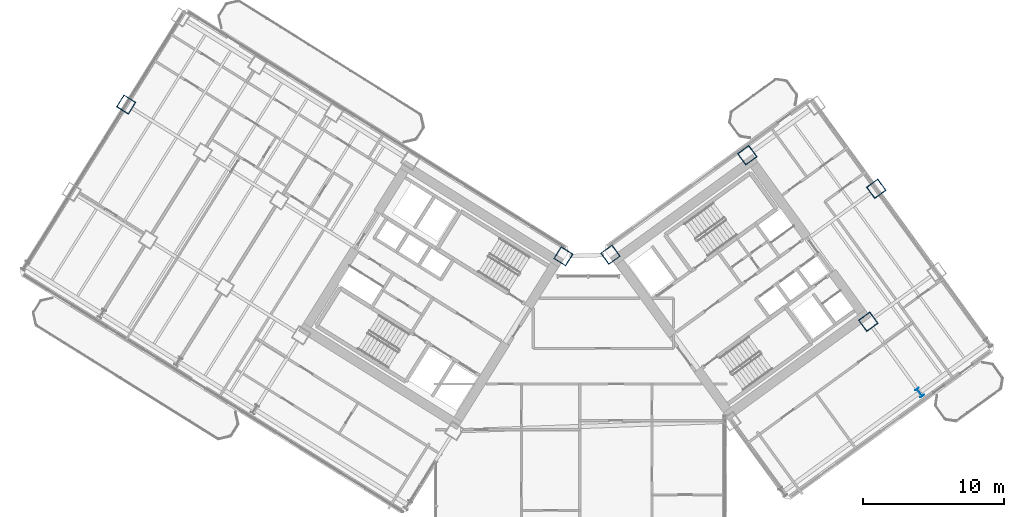
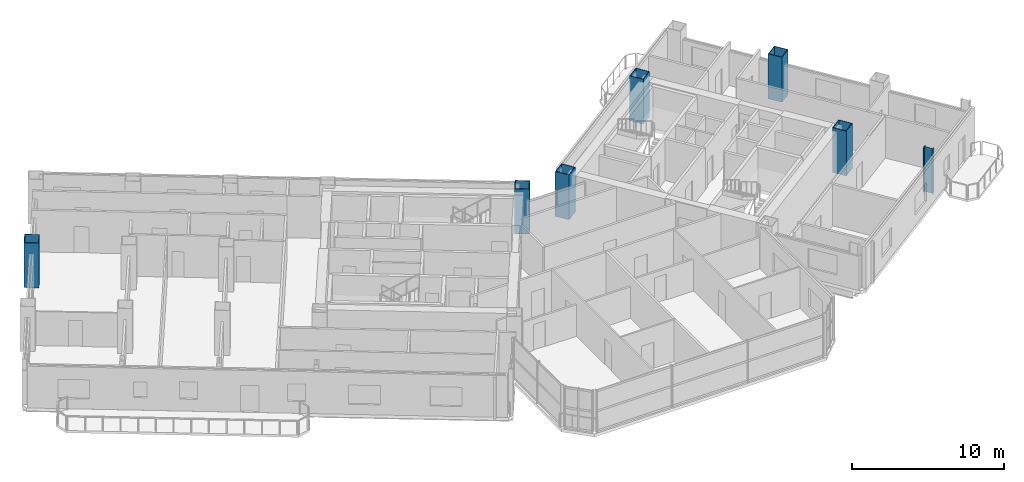
# One storey, part 2 of 28: 7 columns.
"""IFC4 building model written with IfcOpenShell, lengths in metres."""

from ifc_helpers import new_model, si_unit, direction, frame, origin, origin_2d, place, context, subcontext, project, spatial, hollow_rectangle, i_section, extrude, source, transform, mapped, material, material_profile, profile_set, type_object, element, save


model = new_model("IFC4")

# Units and contexts
model_context = context("Model", 3, precision=1e-05, world=origin(), true_north=direction((0.0, 1.0)))
body_context = subcontext(model_context, "Body", "Model", "MODEL_VIEW")
ifc_project = project(units=[si_unit("LENGTHUNIT", "METRE"), si_unit("AREAUNIT", "SQUARE_METRE"), si_unit("VOLUMEUNIT", "CUBIC_METRE"), si_unit("PLANEANGLEUNIT", "RADIAN"), si_unit("MASSUNIT", "GRAM", prefix="KILO")], contexts=[model_context])

# Site, building, storey
site_placement = place(None, origin())
site = spatial("IfcSite", under=ifc_project, at=site_placement, CompositionType="ELEMENT")
building_placement = place(site_placement, origin())
building = spatial("IfcBuilding", under=site, at=building_placement, Name="Tlacorven Tower", CompositionType="ELEMENT")
storey_placement = place(building_placement, frame((0.0, 0.0, 34.800048828125)))
storey = spatial("IfcBuildingStorey", under=building, at=storey_placement, Name="L08", CompositionType="ELEMENT", Elevation=34.800048828125)

# Columns
ifc_material = material(Name="Steel S460M", Category="steel")
ifc_material_profile_1 = material_profile(ifc_material, hollow_rectangle(XDim=1.0, YDim=1.0, WallThickness=0.0400390625, at=origin_2d()), Name="BOX 1000X1000X40")
ifc_profile_set_1 = profile_set([ifc_material_profile_1], Name="Steel S460M")
column_type_1 = type_object("IfcColumnType", Name="COL-TWR-S1", PredefinedType="COLUMN", material=ifc_profile_set_1)
shared_shape_1 = source(origin(), body_context, "Body", "SweptSolid", [
    extrude(hollow_rectangle(XDim=1.0, YDim=1.0, WallThickness=0.0400390625, at=origin_2d()), origin(), (0.0, 0.0, 1.0), 3.599853515625),
])
for number, where, z_axis, x_axis, name in (
    (1, (40.782958984375, 24.468505859375, 0.0), (0.0, 0.0, 1.0), (-0.848048096156, 0.529919264233, 0.0), "L08 column COL-L08-W1-1"),
    (2, (9.777099609375, 35.235107421875, 0.0), (0.0, 0.0, 1.0), (-0.848048096156, 0.529919264233, 0.0), "L08 column COL-L08-W6-2"),
    (3, (44.123779296875, 24.5849609375, 0.0), (0.0, 0.0, 1.0), (0.809016994375, 0.587785252292, 0.0), "L08 column COL-L08-E1-4"),
    (4, (62.41357421875, 19.826904296875, 0.0), (0.0, 0.0, 1.0), (0.809016994375, 0.587785252292, 0.0), "L08 column COL-L08-E3-2"),
    (5, (53.83203125, 31.638427734375, 0.0), (0.0, 0.0, 1.0), (0.809016994375, 0.587785252292, 0.0), "L08 column COL-L08-E3-4"),
    (6, (62.976806640625, 29.25927734375, 0.0), (0.0, 0.0, 1.0), (0.809016994375, 0.587785252292, 0.0), "L08 column COL-L08-E4-3"),
):
    element("IfcColumn", number, at=place(storey_placement, frame(where, z_axis=z_axis, x_axis=x_axis)), inside=storey, type_object=column_type_1, Name=name, PredefinedType="COLUMN", context=body_context, shape_type="MappedRepresentation", body=[
        mapped(shared_shape_1, transform((0.0, 0.0, 0.0), scale=1.0)),
    ])
ifc_material_profile_2 = material_profile(ifc_material, i_section(OverallWidth=0.300048828125, OverallDepth=0.64990234375, WebThickness=0.01611328125, FlangeThickness=0.031005859375, at=origin_2d()), Name="HEB 650")
ifc_profile_set_2 = profile_set([ifc_material_profile_2], Name="Steel S460M")
column_type_2 = type_object("IfcColumnType", Name="COL-TWR-P1", PredefinedType="COLUMN", material=ifc_profile_set_2)
shared_shape_2 = source(origin(), body_context, "Body", "SweptSolid", [
    extrude(i_section(OverallWidth=0.300048828125, OverallDepth=0.64990234375, WebThickness=0.01611328125, FlangeThickness=0.031005859375, at=origin_2d()), origin(), (0.0, 0.0, 1.0), 3.599853515625),
])
column_placement = place(storey_placement, frame((66.057861328125, 14.81103515625, 0.0), z_axis=(0.0, 0.0, 1.0), x_axis=(0.809016994375, 0.587785252292, 0.0)))
element("IfcColumn", 7, at=column_placement, inside=storey, type_object=column_type_2, Name="L08 column COL-L08-E3-1", PredefinedType="COLUMN", context=body_context, shape_type="MappedRepresentation", body=[
    mapped(shared_shape_2, transform((0.0, 0.0, 0.0), scale=1.0)),
])

save(model, "model.ifc")
